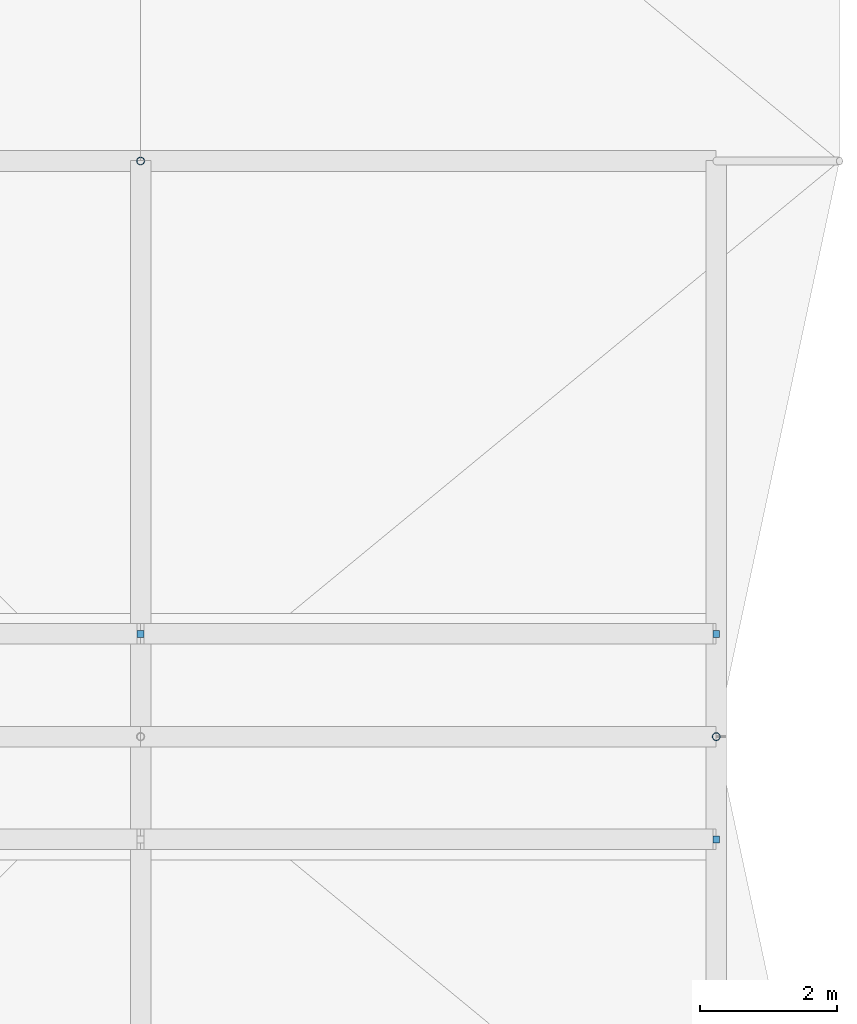
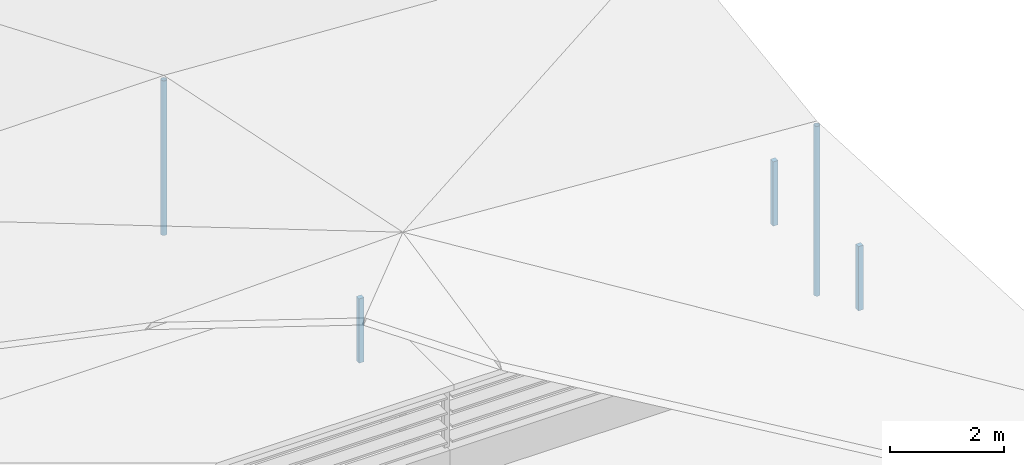
# One storey, part 22 of 46: 5 discrete accessories.
"""IFC4 building model written with IfcOpenShell, lengths in metres."""

from ifc_helpers import new_model, si_unit, direction, frame, origin, origin_2d, place, context, subcontext, project, spatial, rectangle, hollow_circle, extrude, material, layer, layer_set, material_profile, profile_set, type_object, element, save


model = new_model("IFC4")

# Units and contexts
model_context = context("Model", 3, precision=1e-05, world=origin(), true_north=direction((0.0, 1.0)))
body_context = subcontext(model_context, "Body", "Model", "MODEL_VIEW")
ifc_project = project(units=[si_unit("LENGTHUNIT", "METRE"), si_unit("AREAUNIT", "SQUARE_METRE"), si_unit("VOLUMEUNIT", "CUBIC_METRE"), si_unit("PLANEANGLEUNIT", "RADIAN"), si_unit("MASSUNIT", "GRAM", prefix="KILO")], contexts=[model_context])

# Site, building, storey
site_placement = place(None, origin())
site = spatial("IfcSite", under=ifc_project, at=site_placement, CompositionType="ELEMENT")
building_placement = place(site_placement, origin())
building = spatial("IfcBuilding", under=site, at=building_placement, Name="Rain Tree Exposition and Congress Centre", CompositionType="ELEMENT")
storey_placement = place(building_placement, frame((0.0, 0.0, 27.0)))
storey = spatial("IfcBuildingStorey", under=building, at=storey_placement, Name="ROOF VAULT CREST", CompositionType="ELEMENT", Elevation=27.0)

# Discrete accessories
ifc_material_1 = material(Name="Steel S355J2", Category="steel")
ifc_layer = layer(ifc_material_1, 0.10009765625)
ifc_layer_set = layer_set([ifc_layer], Name="Steel S355J2")
discrete_accessory_type_1 = type_object("IfcDiscreteAccessoryType", Name="Ridge lantern post 100", PredefinedType="BRACKET", material=ifc_layer_set)
for number, where, z_axis, x_axis, name in (
    (1, (243.60009765625, 124.5, 2.0), (0.0, 0.0, 1.0), (1.0, 0.0, 0.0), "Lantern post S12"),
    (2, (235.199951171875, 127.5, 2.0), (0.0, 0.0, 1.0), (1.0, 0.0, 0.0), "Lantern post N11"),
    (3, (243.60009765625, 127.5, 2.0), (0.0, 0.0, 1.0), (1.0, 0.0, 0.0), "Lantern post N12"),
):
    element("IfcDiscreteAccessory", number, at=place(storey_placement, frame(where, z_axis=z_axis, x_axis=x_axis)), inside=storey, type_object=discrete_accessory_type_1, Name=name, PredefinedType="BRACKET", context=body_context, shape_type="SweptSolid", body=[
        extrude(rectangle(XDim=0.10009765625, YDim=0.10009765625, at=origin_2d()), origin(), (0.0, 0.0, 1.0), 1.3798828125),
    ])
ifc_material_2 = material(Name="Steel S355J2H", Category="steel")
ifc_material_profile = material_profile(ifc_material_2, hollow_circle(Radius=0.05712890625, WallThickness=0.00439453125, at=origin_2d()), Name="CHS 114x4.5")
ifc_profile_set = profile_set([ifc_material_profile], Name="Steel S355J2H")
discrete_accessory_type_2 = type_object("IfcDiscreteAccessoryType", Name="Roof skin post CHS 114x4.5", PredefinedType="BRACKET", material=ifc_profile_set)
discrete_accessory_1_placement = place(storey_placement, frame((243.60009765625, 126.0, 1.39990234375), z_axis=(0.0, 0.0, 1.0), x_axis=(1.0, 0.0, 0.0)))
element("IfcDiscreteAccessory", 4, at=discrete_accessory_1_placement, inside=storey, type_object=discrete_accessory_type_2, Name="Roof skin post B52", PredefinedType="BRACKET", context=body_context, shape_type="SweptSolid", body=[
    extrude(hollow_circle(Radius=0.05712890625, WallThickness=0.00439453125, at=origin_2d()), origin(), (0.0, 0.0, 1.0), 3.64306640625),
])
discrete_accessory_2_placement = place(storey_placement, frame((235.199951171875, 134.39990234375, 0.551025390625), z_axis=(0.0, 0.0, 1.0), x_axis=(1.0, 0.0, 0.0)))
element("IfcDiscreteAccessory", 5, at=discrete_accessory_2_placement, inside=storey, type_object=discrete_accessory_type_2, Name="Roof skin post B64", PredefinedType="BRACKET", context=body_context, shape_type="SweptSolid", body=[
    extrude(hollow_circle(Radius=0.05712890625, WallThickness=0.00439453125, at=origin_2d()), origin(), (0.0, 0.0, 1.0), 3.31640625),
])

save(model, "model.ifc")
